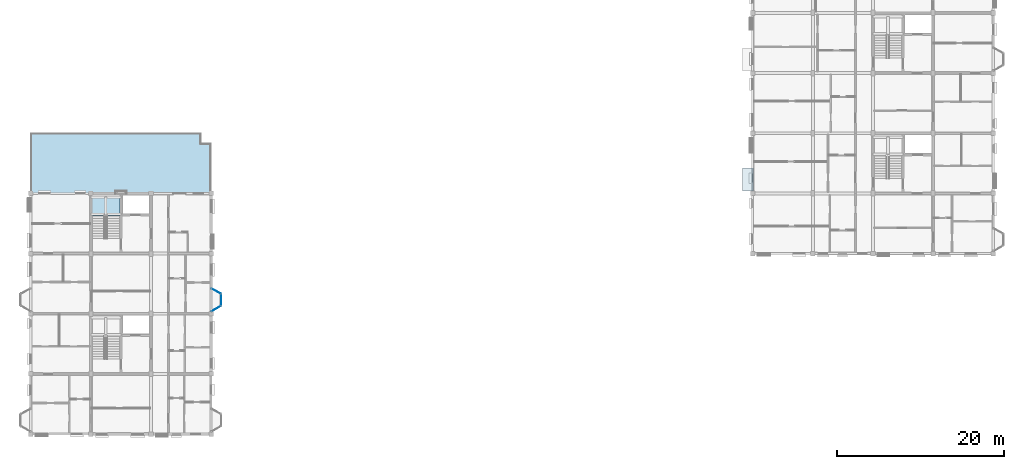
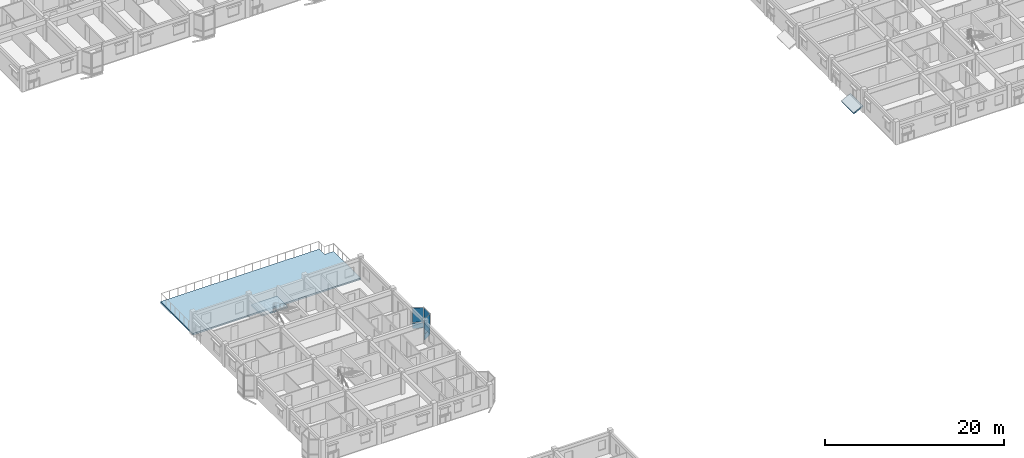
# One storey, part 42 of 75: 6 plates, 3 slabs, 4 elements without a shape of their own.
"""IFC4 building model written with IfcOpenShell, lengths in metres."""

from ifc_helpers import new_model, si_unit, direction, frame, origin, origin_2d, place, context, subcontext, project, spatial, polyline, rectangle, outline, extrude, material, layer, layer_set, type_object, element, aggregate, save


model = new_model("IFC4")

# Units and contexts
model_context = context("Model", 3, precision=1e-05, world=origin(), true_north=direction((0.0, 1.0)))
body_context = subcontext(model_context, "Body", "Model", "MODEL_VIEW")
ifc_project = project(units=[si_unit("LENGTHUNIT", "METRE"), si_unit("AREAUNIT", "SQUARE_METRE"), si_unit("VOLUMEUNIT", "CUBIC_METRE"), si_unit("PLANEANGLEUNIT", "RADIAN"), si_unit("MASSUNIT", "GRAM", prefix="KILO"), si_unit("THERMODYNAMICTEMPERATUREUNIT", "KELVIN"), si_unit("POWERUNIT", "WATT")], contexts=[model_context])

# Site, building, storey
site_placement = place(None, origin())
site = spatial("IfcSite", under=ifc_project, at=site_placement, CompositionType="ELEMENT")
building_placement = place(site_placement, origin())
building = spatial("IfcBuilding", under=site, at=building_placement, Name="Tavuni Mirador Residences", CompositionType="ELEMENT")
storey_placement = place(building_placement, frame((0.0, 0.0, 20.25)))
storey = spatial("IfcBuildingStorey", under=building, at=storey_placement, Name="L06", CompositionType="ELEMENT", Elevation=20.25)

# Curtain wall, plate
ifc_material_1 = material(Name="Anodised aluminium", Category="aluminium")
ifc_layer_1 = layer(ifc_material_1, 0.1650390625, Name="Anodised aluminium", Category="aluminium")
ifc_layer_set_1 = layer_set([ifc_layer_1], Name="Anodised aluminium")
curtain_wall_type_1 = type_object("IfcCurtainWallType", Name="CWT-MIR-A", PredefinedType="NOTDEFINED", material=ifc_layer_set_1)
curtain_wall_1_placement = place(storey_placement, origin())
curtain_wall_1 = element("IfcCurtainWall", 1, at=curtain_wall_1_placement, inside=storey, type_object=curtain_wall_type_1, Name="CW-MIR-B-E2-L06-MF", PredefinedType="NOTDEFINED")
ifc_material_2 = material(Name="Laminated solar-control glass", Category="glass")
ifc_layer_2 = layer(ifc_material_2, 0.02392578125, Name="Laminated solar-control glass", Category="glass")
ifc_layer_set_2 = layer_set([ifc_layer_2], Name="Laminated solar-control glass")
plate_type_1 = type_object("IfcPlateType", Name="CWP-GL24", PredefinedType="CURTAIN_PANEL", material=ifc_layer_set_2)
plate_1_placement = place(storey_placement, frame((26.39990234375, 80.8701171875, 0.8798828125), z_axis=(0.0, 0.0, 1.0), x_axis=(0.0, 1.0, 0.0)))
plate_1 = element("IfcPlate", 2, at=plate_1_placement, type_object=plate_type_1, Name="CW-01 panel 1.2", PredefinedType="CURTAIN_PANEL", context=body_context, shape_type="SweptSolid", body=[
    extrude(rectangle(XDim=1.300048828125, YDim=0.02392578125, at=origin_2d()), origin(), (0.0, 0.0, 1.0), 1.969970703125),
])

ifc_layer_3 = layer(ifc_material_1, 0.14990234375, Name="Anodised aluminium", Category="aluminium")
ifc_layer_set_3 = layer_set([ifc_layer_3], Name="Anodised aluminium")
curtain_wall_type_2 = type_object("IfcCurtainWallType", Name="CWT-MIR-B", PredefinedType="NOTDEFINED", material=ifc_layer_set_3)
curtain_wall_2_placement = place(storey_placement, origin())
curtain_wall_2 = element("IfcCurtainWall", 3, at=curtain_wall_2_placement, inside=storey, type_object=curtain_wall_type_2, Name="CW-MIR-B-E2-L06-M2", PredefinedType="NOTDEFINED")
ifc_layer_4 = layer(ifc_material_2, 0.028076171875, Name="Laminated solar-control glass", Category="glass")
ifc_layer_set_4 = layer_set([ifc_layer_4], Name="Laminated solar-control glass")
plate_type_2 = type_object("IfcPlateType", Name="CWP-GL28", PredefinedType="CURTAIN_PANEL", material=ifc_layer_set_4)
plate_2_placement = place(storey_placement, frame((25.800048828125, 81.89990234375, 0.882568359375), z_axis=(0.0, 0.0, 1.0), x_axis=(-0.882352941175, 0.470588235296, 0.0)))
plate_2 = element("IfcPlate", 4, at=plate_2_placement, type_object=plate_type_2, Name="CW-02 panel 1.2", PredefinedType="CURTAIN_PANEL", context=body_context, shape_type="SweptSolid", body=[
    extrude(rectangle(XDim=1.22998046875, YDim=0.028076171875, at=origin_2d()), origin(), (0.0, 0.0, 1.0), 1.96240234375),
])

ifc_layer_5 = layer(ifc_material_1, 0.159912109375, Name="Anodised aluminium", Category="aluminium")
ifc_layer_set_5 = layer_set([ifc_layer_5], Name="Anodised aluminium")
curtain_wall_type_3 = type_object("IfcCurtainWallType", Name="CWT-MIR-D", PredefinedType="NOTDEFINED", material=ifc_layer_set_5)
curtain_wall_3_placement = place(storey_placement, origin())
curtain_wall_3 = element("IfcCurtainWall", 5, at=curtain_wall_3_placement, inside=storey, type_object=curtain_wall_type_3, Name="CW-MIR-B-E2-L06-M1", PredefinedType="NOTDEFINED")
ifc_layer_6 = layer(ifc_material_2, 0.035888671875, Name="Laminated solar-control glass", Category="glass")
ifc_layer_set_6 = layer_set([ifc_layer_6], Name="Laminated solar-control glass")
plate_type_3 = type_object("IfcPlateType", Name="CWP-GL36", PredefinedType="CURTAIN_PANEL", material=ifc_layer_set_6)
plate_3_placement = place(storey_placement, frame((25.800048828125, 79.8173828125, 0.882568359375), z_axis=(0.0, 0.0, 1.0), x_axis=(0.868465738194, 0.495749192217, 0.0)))
plate_3 = element("IfcPlate", 6, at=plate_3_placement, type_object=plate_type_3, Name="CW-04 panel 1.2", PredefinedType="CURTAIN_PANEL", context=body_context, shape_type="SweptSolid", body=[
    extrude(rectangle(XDim=1.251708984375, YDim=0.035888671875, at=origin_2d()), origin(), (0.0, 0.0, 1.0), 1.96240234375),
])

# Plate
ifc_material_3 = material(Name="Ceramic trencadis mosaic panel", Category="masonry")
ifc_layer_7 = layer(ifc_material_3, 0.0419921875, Name="Ceramic trencadis mosaic panel", Category="masonry")
ifc_layer_set_7 = layer_set([ifc_layer_7], Name="Ceramic trencadis mosaic panel")
plate_type_4 = type_object("IfcPlateType", Name="CWP-SP42", PredefinedType="CURTAIN_PANEL", material=ifc_layer_set_7)
plate_4_placement = place(storey_placement, frame((26.39990234375, 80.8701171875, 0.06005859375), z_axis=(0.0, 0.0, 1.0), x_axis=(0.0, 1.0, 0.0)))
plate_4 = element("IfcPlate", 7, at=plate_4_placement, type_object=plate_type_4, Name="CW-01 panel 1.1", PredefinedType="CURTAIN_PANEL", context=body_context, shape_type="SweptSolid", body=[
    extrude(rectangle(XDim=1.300048828125, YDim=0.0419921875, at=origin_2d()), origin(), (0.0, 0.0, 1.0), 0.760009765625),
])

aggregate(curtain_wall_1, [plate_4, plate_1])

ifc_layer_8 = layer(ifc_material_3, 0.048095703125, Name="Ceramic trencadis mosaic panel", Category="masonry")
ifc_layer_set_8 = layer_set([ifc_layer_8], Name="Ceramic trencadis mosaic panel")
plate_type_5 = type_object("IfcPlateType", Name="CWP-SP48", PredefinedType="CURTAIN_PANEL", material=ifc_layer_set_8)
plate_5_placement = place(storey_placement, frame((25.800048828125, 79.8173828125, 0.06494140625), z_axis=(0.0, 0.0, 1.0), x_axis=(0.868465738194, 0.495749192217, 0.0)))
plate_5 = element("IfcPlate", 8, at=plate_5_placement, type_object=plate_type_5, Name="CW-04 panel 1.1", PredefinedType="CURTAIN_PANEL", context=body_context, shape_type="SweptSolid", body=[
    extrude(rectangle(XDim=1.251708984375, YDim=0.048095703125, at=origin_2d()), origin(), (0.0, 0.0, 1.0), 0.75244140625),
])

aggregate(curtain_wall_3, [plate_5, plate_3])

plate_6_placement = place(storey_placement, frame((25.800048828125, 81.89990234375, 0.06494140625), z_axis=(0.0, 0.0, 1.0), x_axis=(-0.882352941175, 0.470588235296, 0.0)))
plate_6 = element("IfcPlate", 9, at=plate_6_placement, type_object=plate_type_5, Name="CW-02 panel 1.1", PredefinedType="CURTAIN_PANEL", context=body_context, shape_type="SweptSolid", body=[
    extrude(rectangle(XDim=1.22998046875, YDim=0.048095703125, at=origin_2d()), origin(), (0.0, 0.0, 1.0), 0.75244140625),
])

aggregate(curtain_wall_2, [plate_6, plate_2])

# Stair, slab
ifc_material_4 = material(Name="Precast concrete C40/50", Category="concrete")
stair_type = type_object("IfcStairType", Name="STT-TYP", PredefinedType="HALF_TURN_STAIR", material=ifc_material_4)
stair_placement = place(storey_placement, origin())
stair = element("IfcStair", 10, at=stair_placement, inside=storey, type_object=stair_type, Name="Protected exit stair ST4 (L06)", PredefinedType="HALF_TURN_STAIR")
ifc_layer_9 = layer(ifc_material_4, 0.179931640625, Name="Precast concrete C40/50", Category="concrete")
ifc_layer_set_9 = layer_set([ifc_layer_9], Name="Precast concrete C40/50")
slab_type_1 = type_object("IfcSlabType", Name="SLT-LND180", PredefinedType="LANDING", material=ifc_layer_set_9)
slab_1_placement = place(storey_placement, frame((0.0, 0.0, 1.39501953125)))
slab_1 = element("IfcSlab", 11, at=slab_1_placement, type_object=slab_type_1, Name="ST4 landing 1", PredefinedType="LANDING", context=body_context, shape_type="SweptSolid", body=[
    extrude(outline(polyline([(10.93994140625, 90.89208984375), (14.260009765625, 90.89208984375), (14.260009765625, 93.300048828125), (10.93994140625, 93.300048828125), (10.93994140625, 90.89208984375)])), origin(), (0.0, 0.0, 1.0), 0.179931640625),
])
aggregate(stair, [slab_1])

# Slabs
ifc_layer_10 = layer(ifc_material_4, 0.175048828125, Name="Precast concrete C40/50", Category="concrete")
ifc_layer_set_10 = layer_set([ifc_layer_10], Name="Precast concrete C40/50")
slab_type_2 = type_object("IfcSlabType", Name="SLT-RF175", PredefinedType="ROOF", material=ifc_layer_set_10)
slab_2_placement = place(storey_placement, frame((90.0, 93.875, 0.6201171875), z_axis=(-0.45910327143, 0.0, 0.88838290515), x_axis=(0.0, 1.0, 0.0)))
element("IfcSlab", 12, at=slab_2_placement, inside=storey, type_object=slab_type_2, Name="Mirador roof hood MIR-D-W1", PredefinedType="ROOF", context=body_context, shape_type="SweptSolid", body=[
    extrude(outline(polyline([(0.0, 0.0), (2.7451171875, 0.0), (2.7451171875, 1.3507139375593544), (0.0, 1.3507139375593544), (0.0, 0.0)])), origin(), (0.0, 0.0, -1.0), 0.175048828125),
])
ifc_material_5 = material(Name="Prestressed concrete C45/55", Category="concrete")
ifc_layer_11 = layer(ifc_material_5, 0.219970703125, Name="Prestressed concrete C45/55", Category="concrete")
ifc_layer_set_11 = layer_set([ifc_layer_11], Name="Prestressed concrete C45/55")
slab_type_3 = type_object("IfcSlabType", Name="SLT-TER220", PredefinedType="FLOOR", material=ifc_layer_set_11)
slab_3_placement = place(storey_placement, frame((0.0, 0.0, -0.219970703125)))
element("IfcSlab", 13, at=slab_3_placement, inside=storey, type_object=slab_type_3, Name="Roof terrace TER-B-L06", PredefinedType="FLOOR", context=body_context, shape_type="SweptSolid", body=[
    extrude(outline(polyline([(3.60009765625, 93.60009765625), (25.199951171875, 93.60009765625), (25.199951171875, 99.60009765625), (24.0, 99.60009765625), (24.0, 100.800048828125), (3.60009765625, 100.800048828125), (3.60009765625, 93.60009765625)])), origin(), (0.0, 0.0, 1.0), 0.219970703125),
])

save(model, "model.ifc")
